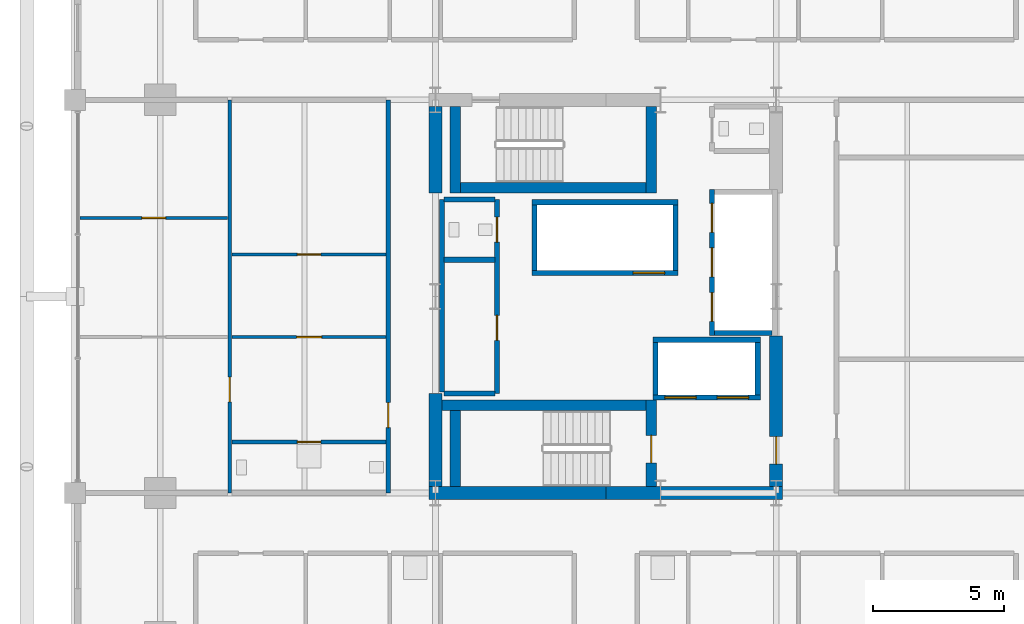
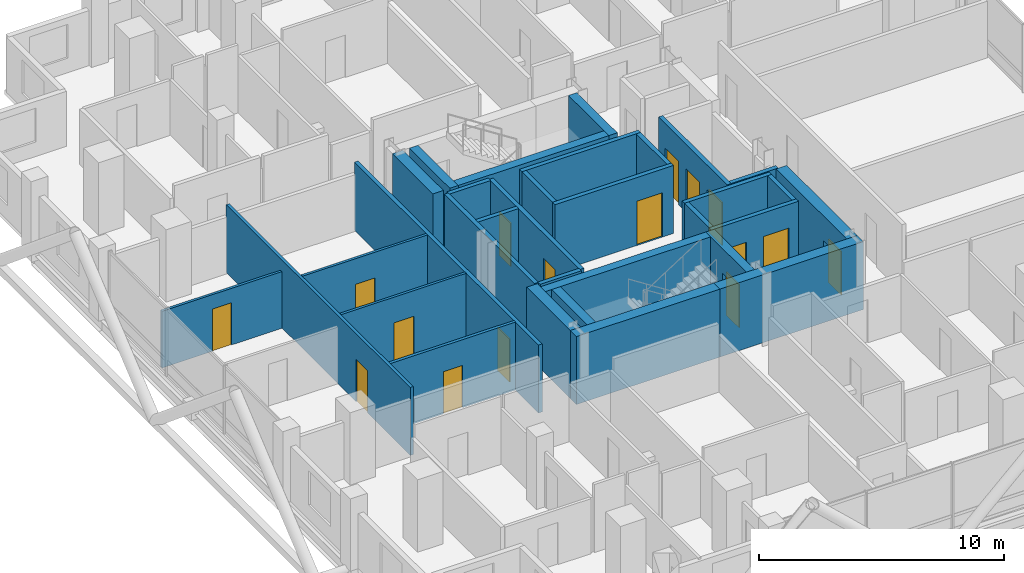
# One storey, part 20 of 25: 32 walls, 16 doors, 16 openings.
"""IFC4 building model written with IfcOpenShell, lengths in metres."""

from ifc_helpers import new_model, si_unit, direction, frame, frame_2d, origin, place, context, subcontext, project, spatial, rectangle, extrude, material, layer, layer_set, type_object, element, fill, save


model = new_model("IFC4")

# Units and contexts
model_context = context("Model", 3, precision=1e-05, world=origin(), true_north=direction((0.0, 1.0)))
body_context = subcontext(model_context, "Body", "Model", "MODEL_VIEW")
ifc_project = project(units=[si_unit("LENGTHUNIT", "METRE"), si_unit("AREAUNIT", "SQUARE_METRE"), si_unit("VOLUMEUNIT", "CUBIC_METRE"), si_unit("PLANEANGLEUNIT", "RADIAN"), si_unit("MASSUNIT", "GRAM", prefix="KILO")], contexts=[model_context])

# Site, building, storey
site_placement = place(None, origin())
site = spatial("IfcSite", under=ifc_project, at=site_placement, CompositionType="ELEMENT")
building_placement = place(site_placement, origin())
building = spatial("IfcBuilding", under=site, at=building_placement, Name="Barlavira Tower and Art Museum", CompositionType="ELEMENT")
storey_placement = place(building_placement, frame((0.0, 0.0, 133.199951171875)))
storey = spatial("IfcBuildingStorey", under=building, at=storey_placement, Name="L33", CompositionType="ELEMENT", Elevation=133.199951171875)

# Wall, opening, door
ifc_material_1 = material(Name="Gypsum acoustic stud partition", Category="gypsum")
ifc_layer_1 = layer(ifc_material_1, 0.1201171875, Name="Gypsum acoustic stud partition")
ifc_layer_set_1 = layer_set([ifc_layer_1], Name="Gypsum acoustic stud partition")
wall_type_1 = type_object("IfcWallType", Name="Apartment Internal Acoustic Partition 120", PredefinedType="PARTITIONING", material=ifc_layer_set_1)
wall_1_placement = place(storey_placement, frame((-14.27001953125, -1.550048828125, 0.0), z_axis=(0.0, 0.0, 1.0), x_axis=(1.0, 0.0, 0.0)))
wall_1 = element("IfcWall", 1, at=wall_1_placement, inside=storey, type_object=wall_type_1, Name="L33 Partition Wall 54", PredefinedType="PARTITIONING", context=body_context, shape_type="SweptSolid", body=[
    extrude(rectangle(XDim=5.89013671875, YDim=0.1201171875, at=frame_2d((2.945068359375, 0.0))), origin(), (0.0, 0.0, 1.0), 3.380126953125),
])
opening_1_placement = place(wall_1_placement, frame((2.47509765625, 0.0, 0.0)))
opening_1 = element("IfcOpeningElement", 2, at=opening_1_placement, cuts=wall_1, Name="Opening D-02", PredefinedType="OPENING", context=body_context, shape_type="SweptSolid", body=[
    extrude(rectangle(XDim=0.949951171875, YDim=2.10009765625, at=frame_2d((0.47509765625, 1.050048828125))), frame((0.0, 0.070068359375, 0.0), z_axis=(0.0, -1.0, 0.0), x_axis=(1.0, 0.0, 0.0)), (0.0, 0.0, 1.0), 0.14013671875),
])
ifc_material_2 = material(Name="Engineered coastal hardwood", Category="wood")
door_type_1 = type_object("IfcDoorType", Name="Living and Salon Glazed-Leaf Door 950x2100", OperationType="NOTDEFINED", PredefinedType="DOOR", material=ifc_material_2)
door_1_placement = place(opening_1_placement, origin())
door_1 = element("IfcDoor", 3, at=door_1_placement, inside=storey, type_object=door_type_1, Name="Apartment W1 Kitchen Door", OperationType="SINGLE_SWING_LEFT", OverallHeight=2.10009765625, OverallWidth=0.949951171875, PredefinedType="DOOR", context=body_context, shape_type="SweptSolid", body=[
    extrude(rectangle(XDim=0.949951171875, YDim=2.10009765625, at=frame_2d((0.47509765625, 1.050048828125))), frame((0.0, 0.02490234375, 0.0), z_axis=(0.0, -1.0, 0.0), x_axis=(1.0, 0.0, 0.0)), (0.0, 0.0, 1.0), 0.050048828125),
])
fill(opening_1, door_1)

wall_2_placement = place(storey_placement, frame((-14.27001953125, 1.60009765625, 0.0), z_axis=(0.0, 0.0, 1.0), x_axis=(1.0, 0.0, 0.0)))
wall_2 = element("IfcWall", 4, at=wall_2_placement, inside=storey, type_object=wall_type_1, Name="L33 Partition Wall 56", PredefinedType="PARTITIONING", context=body_context, shape_type="SweptSolid", body=[
    extrude(rectangle(XDim=5.89013671875, YDim=0.1201171875, at=frame_2d((2.945068359375, 0.0))), origin(), (0.0, 0.0, 1.0), 3.380126953125),
])
opening_2_placement = place(wall_2_placement, frame((2.5, 0.0, 0.0)))
opening_2 = element("IfcOpeningElement", 5, at=opening_2_placement, cuts=wall_2, Name="Opening D-01", PredefinedType="OPENING", context=body_context, shape_type="SweptSolid", body=[
    extrude(rectangle(XDim=0.89990234375, YDim=2.10009765625, at=frame_2d((0.449951171875, 1.050048828125))), frame((0.0, 0.070068359375, 0.0), z_axis=(0.0, -1.0, 0.0), x_axis=(1.0, 0.0, 0.0)), (0.0, 0.0, 1.0), 0.14013671875),
])
door_type_2 = type_object("IfcDoorType", Name="Internal Bedroom Timber Flush Door 900x2100", OperationType="NOTDEFINED", PredefinedType="DOOR", material=ifc_material_2)
door_2_placement = place(opening_2_placement, origin())
door_2 = element("IfcDoor", 6, at=door_2_placement, inside=storey, type_object=door_type_2, Name="Apartment W1 Walk-In Dressing Room Door", OperationType="SINGLE_SWING_RIGHT", OverallHeight=2.10009765625, OverallWidth=0.89990234375, PredefinedType="DOOR", context=body_context, shape_type="SweptSolid", body=[
    extrude(rectangle(XDim=0.89990234375, YDim=2.10009765625, at=frame_2d((0.449951171875, 1.050048828125))), frame((0.0, 0.02490234375, 0.0), z_axis=(0.0, -1.0, 0.0), x_axis=(1.0, 0.0, 0.0)), (0.0, 0.0, 1.0), 0.050048828125),
])
fill(opening_2, door_2)

wall_3_placement = place(storey_placement, frame((-20.070068359375, 3.0, 0.0), z_axis=(0.0, 0.0, 1.0), x_axis=(1.0, 0.0, 0.0)))
wall_3 = element("IfcWall", 7, at=wall_3_placement, inside=storey, type_object=wall_type_1, Name="L33 Partition Wall 57", PredefinedType="PARTITIONING", context=body_context, shape_type="SweptSolid", body=[
    extrude(rectangle(XDim=5.64013671875, YDim=0.1201171875, at=frame_2d((2.820068359375, 0.0))), origin(), (0.0, 0.0, 1.0), 2.816162109375),
])
opening_3_placement = place(wall_3_placement, frame((2.3701171875, 0.0, 0.0)))
opening_3 = element("IfcOpeningElement", 8, at=opening_3_placement, cuts=wall_3, Name="Opening D-01", PredefinedType="OPENING", context=body_context, shape_type="SweptSolid", body=[
    extrude(rectangle(XDim=0.89990234375, YDim=2.10009765625, at=frame_2d((0.449951171875, 1.050048828125))), frame((0.0, 0.070068359375, 0.0), z_axis=(0.0, -1.0, 0.0), x_axis=(1.0, 0.0, 0.0)), (0.0, 0.0, 1.0), 0.14013671875),
])
door_3_placement = place(opening_3_placement, origin())
door_3 = element("IfcDoor", 9, at=door_3_placement, inside=storey, type_object=door_type_2, Name="Apartment W1 Bedroom 2 Door", OperationType="SINGLE_SWING_LEFT", OverallHeight=2.10009765625, OverallWidth=0.89990234375, PredefinedType="DOOR", context=body_context, shape_type="SweptSolid", body=[
    extrude(rectangle(XDim=0.89990234375, YDim=2.10009765625, at=frame_2d((0.449951171875, 1.050048828125))), frame((0.0, 0.02490234375, 0.0), z_axis=(0.0, -1.0, 0.0), x_axis=(1.0, 0.0, 0.0)), (0.0, 0.0, 1.0), 0.050048828125),
])
fill(opening_3, door_3)

# Walls
ifc_material_3 = material(Name="Concrete C60", Category="concrete")
ifc_layer_2 = layer(ifc_material_3, 0.5, Name="Concrete C60")
ifc_layer_set_2 = layer_set([ifc_layer_2], Name="Concrete C60")
wall_type_2 = type_object("IfcWallType", Name="Core Structural Shear Wall 500 Concrete C60", PredefinedType="SHEAR", material=ifc_layer_set_2)
for number, where, z_axis, x_axis, name in (
    (10, (-6.75, -7.5, 0.0), (0.0, 0.0, 1.0), (1.0, 0.0, 0.0), "L33 Core Shear Wall CS-SW"),
    (11, (0.0, -7.5, 0.0), (0.0, 0.0, 1.0), (1.0, 0.0, 0.0), "L33 Core Shear Wall CS-SE"),
):
    element("IfcWall", number, at=place(storey_placement, frame(where, z_axis=z_axis, x_axis=x_axis)), inside=storey, type_object=wall_type_2, Name=name, PredefinedType="SHEAR", context=body_context, shape_type="SweptSolid", body=[
        extrude(rectangle(XDim=6.75, YDim=0.5, at=frame_2d((3.375, 0.0))), origin(), (0.0, 0.0, 1.0), 3.380126953125),
    ])
wall_4_placement = place(storey_placement, frame((-6.5, -7.25, 0.0), z_axis=(0.0, 0.0, 1.0), x_axis=(0.0, 1.0, 0.0)))
element("IfcWall", 12, at=wall_4_placement, inside=storey, type_object=wall_type_2, Name="L33 Core Shear Wall CS-W1", PredefinedType="SHEAR", context=body_context, shape_type="SweptSolid", body=[
    extrude(rectangle(XDim=3.550048828125, YDim=0.5, at=frame_2d((1.77490234375, 0.0))), origin(), (0.0, 0.0, 1.0), 3.380126953125),
])
wall_5_placement = place(storey_placement, frame((-6.5, 3.949951171875, 0.0), z_axis=(0.0, 0.0, 1.0), x_axis=(0.0, 1.0, 0.0)))
element("IfcWall", 13, at=wall_5_placement, inside=storey, type_object=wall_type_2, Name="L33 Core Shear Wall CS-W2", PredefinedType="SHEAR", context=body_context, shape_type="SweptSolid", body=[
    extrude(rectangle(XDim=3.300048828125, YDim=0.5, at=frame_2d((1.64990234375, 0.0))), origin(), (0.0, 0.0, 1.0), 3.380126953125),
])

# Wall, opening, door
wall_6_placement = place(storey_placement, frame((6.5, -7.25, 0.0), z_axis=(0.0, 0.0, 1.0), x_axis=(0.0, 1.0, 0.0)))
wall_6 = element("IfcWall", 14, at=wall_6_placement, inside=storey, type_object=wall_type_2, Name="L33 Core Shear Wall CS-E1", PredefinedType="SHEAR", context=body_context, shape_type="SweptSolid", body=[
    extrude(rectangle(XDim=5.75, YDim=0.5, at=frame_2d((2.875, 0.0))), origin(), (0.0, 0.0, 1.0), 3.380126953125),
])
opening_4_placement = place(wall_6_placement, frame((0.85009765625, 0.0, 0.0)))
opening_4 = element("IfcOpeningElement", 15, at=opening_4_placement, cuts=wall_6, Name="Opening FD-90", PredefinedType="OPENING", context=body_context, shape_type="SweptSolid", body=[
    extrude(rectangle(XDim=1.050048828125, YDim=2.14990234375, at=frame_2d((0.52490234375, 1.074951171875))), frame((0.0, 0.260009765625, 0.0), z_axis=(0.0, -1.0, 0.0), x_axis=(1.0, 0.0, 0.0)), (0.0, 0.0, 1.0), 0.52001953125),
])
ifc_material_4 = material(Name="Brushed stainless steel", Category="steel")
door_type_3 = type_object("IfcDoorType", Name="Stair and Refuge Fire Door 1050x2150 FD90S", OperationType="NOTDEFINED", PredefinedType="DOOR", material=ifc_material_4)
door_4_placement = place(opening_4_placement, origin())
door_4 = element("IfcDoor", 16, at=door_4_placement, inside=storey, type_object=door_type_3, Name="L33 Firefighting Lobby Entry Fire Door", OperationType="SINGLE_SWING_LEFT", OverallHeight=2.14990234375, OverallWidth=1.050048828125, PredefinedType="DOOR", context=body_context, shape_type="SweptSolid", body=[
    extrude(rectangle(XDim=1.050048828125, YDim=2.14990234375, at=frame_2d((0.52490234375, 1.074951171875))), frame((0.0, 0.02490234375, 0.0), z_axis=(0.0, -1.0, 0.0), x_axis=(1.0, 0.0, 0.0)), (0.0, 0.0, 1.0), 0.050048828125),
])
fill(opening_4, door_4)

# Wall, openings, doors
ifc_material_5 = material(Name="Autoclaved aerated concrete masonry", Category="masonry")
ifc_layer_3 = layer(ifc_material_5, 0.199951171875, Name="Autoclaved aerated concrete masonry")
ifc_layer_set_3 = layer_set([ifc_layer_3], Name="Autoclaved aerated concrete masonry")
wall_type_3 = type_object("IfcWallType", Name="Fire Compartment and Shaft Wall 200", PredefinedType="SOLIDWALL", material=ifc_layer_set_3)
wall_7_placement = place(storey_placement, frame((4.050048828125, -1.489990234375, 0.0), z_axis=(0.0, 0.0, 1.0), x_axis=(0.0, 1.0, 0.0)))
wall_7 = element("IfcWall", 17, at=wall_7_placement, inside=storey, type_object=wall_type_3, Name="L33 Mid-Rise Lift Front Shaft Wall", PredefinedType="SOLIDWALL", context=body_context, shape_type="SweptSolid", body=[
    extrude(rectangle(XDim=5.580078125, YDim=0.199951171875, at=frame_2d((2.7900390625, 0.0))), origin(), (0.0, 0.0, 1.0), 3.380126953125),
])
opening_5_placement = place(wall_7_placement, frame((0.5400390625, 0.0, 0.0)))
opening_5 = element("IfcOpeningElement", 18, at=opening_5_placement, cuts=wall_7, Name="Opening LD-P", PredefinedType="OPENING", context=body_context, shape_type="SweptSolid", body=[
    extrude(rectangle(XDim=1.10009765625, YDim=2.14990234375, at=frame_2d((0.550048828125, 1.074951171875))), frame((0.0, 0.10986328125, 0.0), z_axis=(0.0, -1.0, 0.0), x_axis=(1.0, 0.0, 0.0)), (0.0, 0.0, 1.0), 0.219970703125),
])
opening_6_placement = place(wall_7_placement, frame((2.239990234375, 0.0, 0.0)))
opening_6 = element("IfcOpeningElement", 19, at=opening_6_placement, cuts=wall_7, Name="Opening LD-P", PredefinedType="OPENING", context=body_context, shape_type="SweptSolid", body=[
    extrude(rectangle(XDim=1.10009765625, YDim=2.14990234375, at=frame_2d((0.550048828125, 1.074951171875))), frame((0.0, 0.10986328125, 0.0), z_axis=(0.0, -1.0, 0.0), x_axis=(1.0, 0.0, 0.0)), (0.0, 0.0, 1.0), 0.219970703125),
])
opening_7_placement = place(wall_7_placement, frame((3.93994140625, 0.0, 0.0)))
opening_7 = element("IfcOpeningElement", 20, at=opening_7_placement, cuts=wall_7, Name="Opening LD-P", PredefinedType="OPENING", context=body_context, shape_type="SweptSolid", body=[
    extrude(rectangle(XDim=1.10009765625, YDim=2.14990234375, at=frame_2d((0.550048828125, 1.074951171875))), frame((0.0, 0.10986328125, 0.0), z_axis=(0.0, -1.0, 0.0), x_axis=(1.0, 0.0, 0.0)), (0.0, 0.0, 1.0), 0.219970703125),
])
door_type_4 = type_object("IfcDoorType", Name="Passenger Lift Sliding Landing Door 1100x2150 FD60", OperationType="NOTDEFINED", PredefinedType="DOOR", material=ifc_material_4)
door_5_placement = place(opening_5_placement, origin())
door_5 = element("IfcDoor", 21, at=door_5_placement, inside=storey, type_object=door_type_4, Name="L33 Lift PM1 Sliding Landing Door", OperationType="DOUBLE_DOOR_SLIDING", OverallHeight=2.14990234375, OverallWidth=1.10009765625, PredefinedType="DOOR", context=body_context, shape_type="SweptSolid", body=[
    extrude(rectangle(XDim=1.10009765625, YDim=2.14990234375, at=frame_2d((0.550048828125, 1.074951171875))), frame((0.0, 0.02490234375, 0.0), z_axis=(0.0, -1.0, 0.0), x_axis=(1.0, 0.0, 0.0)), (0.0, 0.0, 1.0), 0.050048828125),
])
fill(opening_5, door_5)
door_6_placement = place(opening_6_placement, origin())
door_6 = element("IfcDoor", 22, at=door_6_placement, inside=storey, type_object=door_type_4, Name="L33 Lift PM2 Sliding Landing Door", OperationType="DOUBLE_DOOR_SLIDING", OverallHeight=2.14990234375, OverallWidth=1.10009765625, PredefinedType="DOOR", context=body_context, shape_type="SweptSolid", body=[
    extrude(rectangle(XDim=1.10009765625, YDim=2.14990234375, at=frame_2d((0.550048828125, 1.074951171875))), frame((0.0, 0.02490234375, 0.0), z_axis=(0.0, -1.0, 0.0), x_axis=(1.0, 0.0, 0.0)), (0.0, 0.0, 1.0), 0.050048828125),
])
fill(opening_6, door_6)
door_7_placement = place(opening_7_placement, origin())
door_7 = element("IfcDoor", 23, at=door_7_placement, inside=storey, type_object=door_type_4, Name="L33 Lift PM3 Sliding Landing Door", OperationType="DOUBLE_DOOR_SLIDING", OverallHeight=2.14990234375, OverallWidth=1.10009765625, PredefinedType="DOOR", context=body_context, shape_type="SweptSolid", body=[
    extrude(rectangle(XDim=1.10009765625, YDim=2.14990234375, at=frame_2d((0.550048828125, 1.074951171875))), frame((0.0, 0.02490234375, 0.0), z_axis=(0.0, -1.0, 0.0), x_axis=(1.0, 0.0, 0.0)), (0.0, 0.0, 1.0), 0.050048828125),
])
fill(opening_7, door_7)

# Wall
wall_8_placement = place(storey_placement, frame((4.14990234375, -1.389892578125, 0.0), z_axis=(0.0, 0.0, 1.0), x_axis=(1.0, 0.0, 0.0)))
element("IfcWall", 24, at=wall_8_placement, inside=storey, type_object=wall_type_3, Name="L33 Mid-Rise Lift South Shaft Wall", PredefinedType="SOLIDWALL", context=body_context, shape_type="SweptSolid", body=[
    extrude(rectangle(XDim=2.2001953125, YDim=0.199951171875, at=frame_2d((1.10009765625, 0.0))), origin(), (0.0, 0.0, 1.0), 3.380126953125),
])

# Wall, opening, door
wall_9_placement = place(storey_placement, frame((-2.820068359375, 0.89990234375, 0.0), z_axis=(0.0, 0.0, 1.0), x_axis=(1.0, 0.0, 0.0)))
wall_9 = element("IfcWall", 25, at=wall_9_placement, inside=storey, type_object=wall_type_3, Name="L33 High-Rise & Service Lift Front Wall", PredefinedType="SOLIDWALL", context=body_context, shape_type="SweptSolid", body=[
    extrude(rectangle(XDim=5.580078125, YDim=0.199951171875, at=frame_2d((2.7900390625, 0.0))), origin(), (0.0, 0.0, 1.0), 3.380126953125),
])
opening_8_placement = place(wall_9_placement, frame((3.860107421875, 0.0, 0.0)))
opening_8 = element("IfcOpeningElement", 26, at=opening_8_placement, cuts=wall_9, Name="Opening LD-F", PredefinedType="OPENING", context=body_context, shape_type="SweptSolid", body=[
    extrude(rectangle(XDim=1.199951171875, YDim=2.199951171875, at=frame_2d((0.60009765625, 1.10009765625))), frame((0.0, 0.10986328125, 0.0), z_axis=(0.0, -1.0, 0.0), x_axis=(1.0, 0.0, 0.0)), (0.0, 0.0, 1.0), 0.219970703125),
])
door_type_5 = type_object("IfcDoorType", Name="Firefighting and Service Lift Sliding Door 1200x2200 FD120", OperationType="NOTDEFINED", PredefinedType="DOOR", material=ifc_material_4)
door_8_placement = place(opening_8_placement, origin())
door_8 = element("IfcDoor", 27, at=door_8_placement, inside=storey, type_object=door_type_5, Name="L33 Stretcher Service Lift SL1 Sliding Door", OperationType="DOUBLE_DOOR_SLIDING", OverallHeight=2.199951171875, OverallWidth=1.199951171875, PredefinedType="DOOR", context=body_context, shape_type="SweptSolid", body=[
    extrude(rectangle(XDim=1.199951171875, YDim=2.199951171875, at=frame_2d((0.60009765625, 1.10009765625))), frame((0.0, 0.02490234375, 0.0), z_axis=(0.0, -1.0, 0.0), x_axis=(1.0, 0.0, 0.0)), (0.0, 0.0, 1.0), 0.050048828125),
])
fill(opening_8, door_8)

# Walls
wall_10_placement = place(storey_placement, frame((-2.820068359375, 3.60009765625, 0.0), z_axis=(0.0, 0.0, 1.0), x_axis=(1.0, 0.0, 0.0)))
element("IfcWall", 28, at=wall_10_placement, inside=storey, type_object=wall_type_3, Name="L33 High-Rise & Service Lift Back Wall", PredefinedType="SOLIDWALL", context=body_context, shape_type="SweptSolid", body=[
    extrude(rectangle(XDim=5.580078125, YDim=0.199951171875, at=frame_2d((2.7900390625, 0.0))), origin(), (0.0, 0.0, 1.0), 3.380126953125),
])
for number, where, z_axis, x_axis, name in (
    (29, (-2.719970703125, 1.0, 0.0), (0.0, 0.0, 1.0), (0.0, 1.0, 0.0), "L33 High-Rise & Service Lift West Wall"),
    (30, (2.659912109375, 1.0, 0.0), (0.0, 0.0, 1.0), (0.0, 1.0, 0.0), "L33 High-Rise & Service Lift East Wall"),
):
    element("IfcWall", number, at=place(storey_placement, frame(where, z_axis=z_axis, x_axis=x_axis)), inside=storey, type_object=wall_type_3, Name=name, PredefinedType="SOLIDWALL", context=body_context, shape_type="SweptSolid", body=[
        extrude(rectangle(XDim=2.5, YDim=0.199951171875, at=frame_2d((1.25, 0.0))), origin(), (0.0, 0.0, 1.0), 3.380126953125),
    ])

# Wall, openings, doors
wall_11_placement = place(storey_placement, frame((1.800048828125, -3.85009765625, 0.0), z_axis=(0.0, 0.0, 1.0), x_axis=(1.0, 0.0, 0.0)))
wall_11 = element("IfcWall", 31, at=wall_11_placement, inside=storey, type_object=wall_type_3, Name="L33 Firefighting Lift Front Shaft Wall", PredefinedType="SOLIDWALL", context=body_context, shape_type="SweptSolid", body=[
    extrude(rectangle(XDim=4.099853515625, YDim=0.199951171875, at=frame_2d((2.0498046875, 0.0))), origin(), (0.0, 0.0, 1.0), 3.380126953125),
])
opening_9_placement = place(wall_11_placement, frame((0.449951171875, 0.0, 0.0)))
opening_9 = element("IfcOpeningElement", 32, at=opening_9_placement, cuts=wall_11, Name="Opening LD-F", PredefinedType="OPENING", context=body_context, shape_type="SweptSolid", body=[
    extrude(rectangle(XDim=1.199951171875, YDim=2.199951171875, at=frame_2d((0.60009765625, 1.10009765625))), frame((0.0, 0.10986328125, 0.0), z_axis=(0.0, -1.0, 0.0), x_axis=(1.0, 0.0, 0.0)), (0.0, 0.0, 1.0), 0.219970703125),
])
opening_10_placement = place(wall_11_placement, frame((2.449951171875, 0.0, 0.0)))
opening_10 = element("IfcOpeningElement", 33, at=opening_10_placement, cuts=wall_11, Name="Opening LD-F", PredefinedType="OPENING", context=body_context, shape_type="SweptSolid", body=[
    extrude(rectangle(XDim=1.199951171875, YDim=2.199951171875, at=frame_2d((0.60009765625, 1.10009765625))), frame((0.0, 0.10986328125, 0.0), z_axis=(0.0, -1.0, 0.0), x_axis=(1.0, 0.0, 0.0)), (0.0, 0.0, 1.0), 0.219970703125),
])
door_9_placement = place(opening_9_placement, origin())
door_9 = element("IfcDoor", 34, at=door_9_placement, inside=storey, type_object=door_type_5, Name="L33 Firefighting Lift FF1 Sliding Door", OperationType="DOUBLE_DOOR_SLIDING", OverallHeight=2.199951171875, OverallWidth=1.199951171875, PredefinedType="DOOR", context=body_context, shape_type="SweptSolid", body=[
    extrude(rectangle(XDim=1.199951171875, YDim=2.199951171875, at=frame_2d((0.60009765625, 1.10009765625))), frame((0.0, 0.02490234375, 0.0), z_axis=(0.0, -1.0, 0.0), x_axis=(1.0, 0.0, 0.0)), (0.0, 0.0, 1.0), 0.050048828125),
])
fill(opening_9, door_9)
door_10_placement = place(opening_10_placement, origin())
door_10 = element("IfcDoor", 35, at=door_10_placement, inside=storey, type_object=door_type_5, Name="L33 Firefighting Lift FF2 Sliding Door", OperationType="DOUBLE_DOOR_SLIDING", OverallHeight=2.199951171875, OverallWidth=1.199951171875, PredefinedType="DOOR", context=body_context, shape_type="SweptSolid", body=[
    extrude(rectangle(XDim=1.199951171875, YDim=2.199951171875, at=frame_2d((0.60009765625, 1.10009765625))), frame((0.0, 0.02490234375, 0.0), z_axis=(0.0, -1.0, 0.0), x_axis=(1.0, 0.0, 0.0)), (0.0, 0.0, 1.0), 0.050048828125),
])
fill(opening_10, door_10)

# Walls
wall_12_placement = place(storey_placement, frame((1.800048828125, -1.64990234375, 0.0), z_axis=(0.0, 0.0, 1.0), x_axis=(1.0, 0.0, 0.0)))
element("IfcWall", 36, at=wall_12_placement, inside=storey, type_object=wall_type_3, Name="L33 Firefighting Lift Back Shaft Wall", PredefinedType="SOLIDWALL", context=body_context, shape_type="SweptSolid", body=[
    extrude(rectangle(XDim=4.099853515625, YDim=0.199951171875, at=frame_2d((2.0498046875, 0.0))), origin(), (0.0, 0.0, 1.0), 3.380126953125),
])
for number, where, z_axis, x_axis, name in (
    (37, (1.89990234375, -3.75, 0.0), (0.0, 0.0, 1.0), (0.0, 1.0, 0.0), "L33 Firefighting Lift West Shaft Wall"),
    (38, (5.800048828125, -3.75, 0.0), (0.0, 0.0, 1.0), (0.0, 1.0, 0.0), "L33 Firefighting Lift East Shaft Wall"),
):
    element("IfcWall", number, at=place(storey_placement, frame(where, z_axis=z_axis, x_axis=x_axis)), inside=storey, type_object=wall_type_3, Name=name, PredefinedType="SOLIDWALL", context=body_context, shape_type="SweptSolid", body=[
        extrude(rectangle(XDim=2.0, YDim=0.199951171875, at=frame_2d((1.0, 0.0))), origin(), (0.0, 0.0, 1.0), 3.380126953125),
    ])
wall_13_placement = place(storey_placement, frame((-6.25, -3.639892578125, 0.0), z_axis=(0.0, 0.0, 1.0), x_axis=(0.0, 1.0, 0.0)))
element("IfcWall", 39, at=wall_13_placement, inside=storey, type_object=wall_type_3, Name="L33 Partition Wall 13", PredefinedType="SOLIDWALL", context=body_context, shape_type="SweptSolid", body=[
    extrude(rectangle(XDim=7.33984375, YDim=0.199951171875, at=frame_2d((3.669921875, 0.0))), origin(), (0.0, 0.0, 1.0), 3.380126953125),
])

# Wall, openings, doors
wall_14_placement = place(storey_placement, frame((-4.14990234375, -3.699951171875, 0.0), z_axis=(0.0, 0.0, 1.0), x_axis=(0.0, 1.0, 0.0)))
wall_14 = element("IfcWall", 40, at=wall_14_placement, inside=storey, type_object=wall_type_3, Name="L33 Partition Wall 14", PredefinedType="SOLIDWALL", context=body_context, shape_type="SweptSolid", body=[
    extrude(rectangle(XDim=7.39990234375, YDim=0.199951171875, at=frame_2d((3.699951171875, 0.0))), origin(), (0.0, 0.0, 1.0), 3.380126953125),
])
opening_11_placement = place(wall_14_placement, frame((2.02490234375, 0.0, 0.0)))
opening_11 = element("IfcOpeningElement", 41, at=opening_11_placement, cuts=wall_14, Name="Opening FD-60", PredefinedType="OPENING", context=body_context, shape_type="SweptSolid", body=[
    extrude(rectangle(XDim=0.949951171875, YDim=2.14990234375, at=frame_2d((0.47509765625, 1.074951171875))), frame((0.0, 0.10986328125, 0.0), z_axis=(0.0, -1.0, 0.0), x_axis=(1.0, 0.0, 0.0)), (0.0, 0.0, 1.0), 0.219970703125),
])
opening_12_placement = place(wall_14_placement, frame((5.77490234375, 0.0, 0.0)))
opening_12 = element("IfcOpeningElement", 42, at=opening_12_placement, cuts=wall_14, Name="Opening FD-60", PredefinedType="OPENING", context=body_context, shape_type="SweptSolid", body=[
    extrude(rectangle(XDim=0.949951171875, YDim=2.14990234375, at=frame_2d((0.47509765625, 1.074951171875))), frame((0.0, 0.10986328125, 0.0), z_axis=(0.0, -1.0, 0.0), x_axis=(1.0, 0.0, 0.0)), (0.0, 0.0, 1.0), 0.219970703125),
])
door_type_6 = type_object("IfcDoorType", Name="Apartment Entrance and Riser Fire Door 950x2150 FD60S", OperationType="NOTDEFINED", PredefinedType="DOOR", material=ifc_material_4)
door_11_placement = place(opening_11_placement, origin())
door_11 = element("IfcDoor", 43, at=door_11_placement, inside=storey, type_object=door_type_6, Name="Reclaimed Core Resident Parcel Room Door", OperationType="SINGLE_SWING_RIGHT", OverallHeight=2.14990234375, OverallWidth=0.949951171875, PredefinedType="DOOR", context=body_context, shape_type="SweptSolid", body=[
    extrude(rectangle(XDim=0.949951171875, YDim=2.14990234375, at=frame_2d((0.47509765625, 1.074951171875))), frame((0.0, 0.02490234375, 0.0), z_axis=(0.0, -1.0, 0.0), x_axis=(1.0, 0.0, 0.0)), (0.0, 0.0, 1.0), 0.050048828125),
])
fill(opening_11, door_11)
door_12_placement = place(opening_12_placement, origin())
door_12 = element("IfcDoor", 44, at=door_12_placement, inside=storey, type_object=door_type_6, Name="Reclaimed Core Accessible WC Door", OperationType="SINGLE_SWING_LEFT", OverallHeight=2.14990234375, OverallWidth=0.949951171875, PredefinedType="DOOR", context=body_context, shape_type="SweptSolid", body=[
    extrude(rectangle(XDim=0.949951171875, YDim=2.14990234375, at=frame_2d((0.47509765625, 1.074951171875))), frame((0.0, 0.02490234375, 0.0), z_axis=(0.0, -1.0, 0.0), x_axis=(1.0, 0.0, 0.0)), (0.0, 0.0, 1.0), 0.050048828125),
])
fill(opening_12, door_12)

# Walls
for number, where, z_axis, x_axis, name in (
    (45, (-6.169921875, -3.699951171875, 0.0), (0.0, 0.0, 1.0), (1.0, 0.0, 0.0), "L33 Partition Wall 51"),
    (46, (-6.169921875, 1.39990234375, 0.0), (0.0, 0.0, 1.0), (1.0, 0.0, 0.0), "L33 Partition Wall 55"),
    (47, (-6.169921875, 3.699951171875, 0.0), (0.0, 0.0, 1.0), (1.0, 0.0, 0.0), "L33 Partition Wall 58"),
):
    element("IfcWall", number, at=place(storey_placement, frame(where, z_axis=z_axis, x_axis=x_axis)), inside=storey, type_object=wall_type_3, Name=name, PredefinedType="SOLIDWALL", context=body_context, shape_type="SweptSolid", body=[
        extrude(rectangle(XDim=1.93994140625, YDim=0.199951171875, at=frame_2d((0.969970703125, 0.0))), origin(), (0.0, 0.0, 1.0), 3.380126953125),
    ])

# Wall, opening, door
ifc_layer_4 = layer(ifc_material_1, 0.179931640625, Name="Gypsum acoustic stud partition")
ifc_layer_set_4 = layer_set([ifc_layer_4], Name="Gypsum acoustic stud partition")
wall_type_4 = type_object("IfcWallType", Name="Inter-Tenancy Party Partition Wall 180", PredefinedType="PARTITIONING", material=ifc_layer_set_4)
wall_15_placement = place(storey_placement, frame((-8.300048828125, -7.5, 0.0), z_axis=(0.0, 0.0, 1.0), x_axis=(0.0, 1.0, 0.0)))
wall_15 = element("IfcWall", 48, at=wall_15_placement, inside=storey, type_object=wall_type_4, Name="L33 Partition Wall 8", PredefinedType="PARTITIONING", context=body_context, shape_type="SweptSolid", body=[
    extrude(rectangle(XDim=15.0, YDim=0.179931640625, at=frame_2d((7.5, 0.0))), origin(), (0.0, 0.0, 1.0), 3.380126953125),
])
opening_13_placement = place(wall_15_placement, frame((2.4951171875, 0.0, 0.0)))
opening_13 = element("IfcOpeningElement", 49, at=opening_13_placement, cuts=wall_15, Name="Opening FD-60", PredefinedType="OPENING", context=body_context, shape_type="SweptSolid", body=[
    extrude(rectangle(XDim=0.949951171875, YDim=2.14990234375, at=frame_2d((0.47509765625, 1.074951171875))), frame((0.0, 0.10009765625, 0.0), z_axis=(0.0, -1.0, 0.0), x_axis=(1.0, 0.0, 0.0)), (0.0, 0.0, 1.0), 0.199951171875),
])
door_13_placement = place(opening_13_placement, origin())
door_13 = element("IfcDoor", 50, at=door_13_placement, inside=storey, type_object=door_type_6, Name="Apartment Entrance Hall W1 Door", OperationType="SINGLE_SWING_RIGHT", OverallHeight=2.14990234375, OverallWidth=0.949951171875, PredefinedType="DOOR", context=body_context, shape_type="SweptSolid", body=[
    extrude(rectangle(XDim=0.949951171875, YDim=2.14990234375, at=frame_2d((0.47509765625, 1.074951171875))), frame((0.0, 0.02490234375, 0.0), z_axis=(0.0, -1.0, 0.0), x_axis=(1.0, 0.0, 0.0)), (0.0, 0.0, 1.0), 0.050048828125),
])
fill(opening_13, door_13)

ifc_layer_5 = layer(ifc_material_1, 0.139892578125, Name="Gypsum acoustic stud partition")
ifc_layer_set_5 = layer_set([ifc_layer_5], Name="Gypsum acoustic stud partition")
wall_type_5 = type_object("IfcWallType", Name="Moisture-Resistant Bathroom Partition 140", PredefinedType="PARTITIONING", material=ifc_layer_set_5)
wall_16_placement = place(storey_placement, frame((-14.35009765625, -7.5, 0.0), z_axis=(0.0, 0.0, 1.0), x_axis=(0.0, 1.0, 0.0)))
wall_16 = element("IfcWall", 51, at=wall_16_placement, inside=storey, type_object=wall_type_5, Name="L33 Partition Wall 3", PredefinedType="PARTITIONING", context=body_context, shape_type="SweptSolid", body=[
    extrude(rectangle(XDim=15.0, YDim=0.139892578125, at=frame_2d((7.5, 0.0))), origin(), (0.0, 0.0, 1.0), 3.380126953125),
])
opening_14_placement = place(wall_16_placement, frame((3.47509765625, 0.0, 0.0)))
opening_14 = element("IfcOpeningElement", 52, at=opening_14_placement, cuts=wall_16, Name="Opening D-02", PredefinedType="OPENING", context=body_context, shape_type="SweptSolid", body=[
    extrude(rectangle(XDim=0.949951171875, YDim=2.10009765625, at=frame_2d((0.47509765625, 1.050048828125))), frame((0.0, 0.080078125, 0.0), z_axis=(0.0, -1.0, 0.0), x_axis=(1.0, 0.0, 0.0)), (0.0, 0.0, 1.0), 0.159912109375),
])
door_14_placement = place(opening_14_placement, origin())
door_14 = element("IfcDoor", 53, at=door_14_placement, inside=storey, type_object=door_type_1, Name="Apartment W1 Living Lounge Door", OperationType="SINGLE_SWING_LEFT", OverallHeight=2.10009765625, OverallWidth=0.949951171875, PredefinedType="DOOR", context=body_context, shape_type="SweptSolid", body=[
    extrude(rectangle(XDim=0.949951171875, YDim=2.10009765625, at=frame_2d((0.47509765625, 1.050048828125))), frame((0.0, 0.02490234375, 0.0), z_axis=(0.0, -1.0, 0.0), x_axis=(1.0, 0.0, 0.0)), (0.0, 0.0, 1.0), 0.050048828125),
])
fill(opening_14, door_14)

wall_17_placement = place(storey_placement, frame((-14.27001953125, -5.550048828125, 0.0), z_axis=(0.0, 0.0, 1.0), x_axis=(1.0, 0.0, 0.0)))
wall_17 = element("IfcWall", 54, at=wall_17_placement, inside=storey, type_object=wall_type_5, Name="L33 Partition Wall 50", PredefinedType="PARTITIONING", context=body_context, shape_type="SweptSolid", body=[
    extrude(rectangle(XDim=5.89013671875, YDim=0.139892578125, at=frame_2d((2.945068359375, 0.0))), origin(), (0.0, 0.0, 1.0), 3.380126953125),
])
opening_15_placement = place(wall_17_placement, frame((2.5, 0.0, 0.0)))
opening_15 = element("IfcOpeningElement", 55, at=opening_15_placement, cuts=wall_17, Name="Opening D-WC", PredefinedType="OPENING", context=body_context, shape_type="SweptSolid", body=[
    extrude(rectangle(XDim=0.89990234375, YDim=2.10009765625, at=frame_2d((0.449951171875, 1.050048828125))), frame((0.0, 0.080078125, 0.0), z_axis=(0.0, -1.0, 0.0), x_axis=(1.0, 0.0, 0.0)), (0.0, 0.0, 1.0), 0.159912109375),
])
door_type_7 = type_object("IfcDoorType", Name="Accessible Bathroom Flush Door 900x2100", OperationType="NOTDEFINED", PredefinedType="DOOR", material=ifc_material_2)
door_15_placement = place(opening_15_placement, origin())
door_15 = element("IfcDoor", 56, at=door_15_placement, inside=storey, type_object=door_type_7, Name="Apartment W1 Hall Bathroom Door", OperationType="SINGLE_SWING_LEFT", OverallHeight=2.10009765625, OverallWidth=0.89990234375, PredefinedType="DOOR", context=body_context, shape_type="SweptSolid", body=[
    extrude(rectangle(XDim=0.89990234375, YDim=2.10009765625, at=frame_2d((0.449951171875, 1.050048828125))), frame((0.0, 0.02490234375, 0.0), z_axis=(0.0, -1.0, 0.0), x_axis=(1.0, 0.0, 0.0)), (0.0, 0.0, 1.0), 0.050048828125),
])
fill(opening_15, door_15)

# Walls
ifc_material_6 = material(Name="Concrete C55", Category="concrete")
ifc_layer_6 = layer(ifc_material_6, 0.39990234375, Name="Concrete C55")
ifc_layer_set_6 = layer_set([ifc_layer_6], Name="Concrete C55")
wall_type_6 = type_object("IfcWallType", Name="Upper Core Shear Wall 400 Concrete C55", PredefinedType="SHEAR", material=ifc_layer_set_6)
wall_18_placement = place(storey_placement, frame((-5.75, -7.25, 0.0), z_axis=(0.0, 0.0, 1.0), x_axis=(0.0, 1.0, 0.0)))
element("IfcWall", 57, at=wall_18_placement, inside=storey, type_object=wall_type_6, Name="L33 ST-T1 West Half-Landing Wall", PredefinedType="SHEAR", context=body_context, shape_type="SweptSolid", body=[
    extrude(rectangle(XDim=2.89990234375, YDim=0.39990234375, at=frame_2d((1.449951171875, 0.0))), origin(), (0.0, 0.0, 1.0), 3.380126953125),
])
wall_19_placement = place(storey_placement, frame((-6.25, -4.14990234375, 0.0), z_axis=(0.0, 0.0, 1.0), x_axis=(1.0, 0.0, 0.0)))
element("IfcWall", 58, at=wall_19_placement, inside=storey, type_object=wall_type_6, Name="L33 ST-T1 North Shaft Wall", PredefinedType="SHEAR", context=body_context, shape_type="SweptSolid", body=[
    extrude(rectangle(XDim=7.780029296875, YDim=0.39990234375, at=frame_2d((3.89013671875, 0.0))), origin(), (0.0, 0.0, 1.0), 3.380126953125),
])

# Wall, opening, door
wall_20_placement = place(storey_placement, frame((1.72998046875, -7.25, 0.0), z_axis=(0.0, 0.0, 1.0), x_axis=(0.0, 1.0, 0.0)))
wall_20 = element("IfcWall", 59, at=wall_20_placement, inside=storey, type_object=wall_type_6, Name="L33 ST-T1 East Landing Wall", PredefinedType="SHEAR", context=body_context, shape_type="SweptSolid", body=[
    extrude(rectangle(XDim=3.300048828125, YDim=0.39990234375, at=frame_2d((1.64990234375, 0.0))), origin(), (0.0, 0.0, 1.0), 3.380126953125),
])
opening_16_placement = place(wall_20_placement, frame((0.89990234375, 0.0, 0.0)))
opening_16 = element("IfcOpeningElement", 60, at=opening_16_placement, cuts=wall_20, Name="Opening FD-90", PredefinedType="OPENING", context=body_context, shape_type="SweptSolid", body=[
    extrude(rectangle(XDim=1.050048828125, YDim=2.14990234375, at=frame_2d((0.52490234375, 1.074951171875))), frame((0.0, 0.2099609375, 0.0), z_axis=(0.0, -1.0, 0.0), x_axis=(1.0, 0.0, 0.0)), (0.0, 0.0, 1.0), 0.419921875),
])
door_16_placement = place(opening_16_placement, origin())
door_16 = element("IfcDoor", 61, at=door_16_placement, inside=storey, type_object=door_type_3, Name="L33 Stair ST-T1 Fire Door", OperationType="SINGLE_SWING_RIGHT", OverallHeight=2.14990234375, OverallWidth=1.050048828125, PredefinedType="DOOR", context=body_context, shape_type="SweptSolid", body=[
    extrude(rectangle(XDim=1.050048828125, YDim=2.14990234375, at=frame_2d((0.52490234375, 1.074951171875))), frame((0.0, 0.02490234375, 0.0), z_axis=(0.0, -1.0, 0.0), x_axis=(1.0, 0.0, 0.0)), (0.0, 0.0, 1.0), 0.050048828125),
])
fill(opening_16, door_16)

# Walls
wall_21_placement = place(storey_placement, frame((-5.550048828125, 4.14990234375, 0.0), z_axis=(0.0, 0.0, 1.0), x_axis=(1.0, 0.0, 0.0)))
element("IfcWall", 62, at=wall_21_placement, inside=storey, type_object=wall_type_6, Name="L33 ST-T2 South Shaft Wall", PredefinedType="SHEAR", context=body_context, shape_type="SweptSolid", body=[
    extrude(rectangle(XDim=7.080078125, YDim=0.39990234375, at=frame_2d((3.5400390625, 0.0))), origin(), (0.0, 0.0, 1.0), 3.380126953125),
])
for number, where, z_axis, x_axis, name in (
    (63, (1.72998046875, 3.949951171875, 0.0), (0.0, 0.0, 1.0), (0.0, 1.0, 0.0), "L33 ST-T2 East Half-Landing Wall"),
    (64, (-5.75, 3.949951171875, 0.0), (0.0, 0.0, 1.0), (0.0, 1.0, 0.0), "L33 ST-T2 West Shaft Wall"),
):
    element("IfcWall", number, at=place(storey_placement, frame(where, z_axis=z_axis, x_axis=x_axis)), inside=storey, type_object=wall_type_6, Name=name, PredefinedType="SHEAR", context=body_context, shape_type="SweptSolid", body=[
        extrude(rectangle(XDim=3.300048828125, YDim=0.39990234375, at=frame_2d((1.64990234375, 0.0))), origin(), (0.0, 0.0, 1.0), 3.380126953125),
    ])

save(model, "model.ifc")
